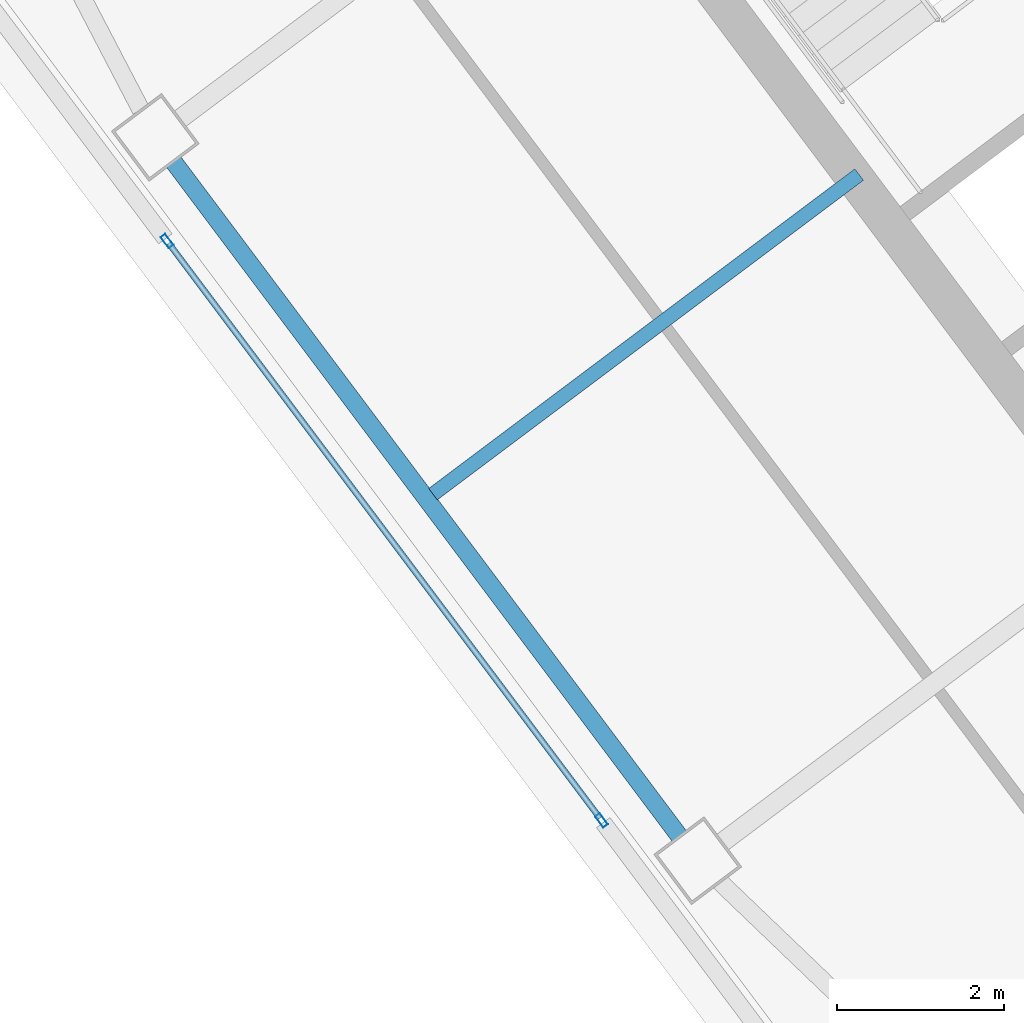
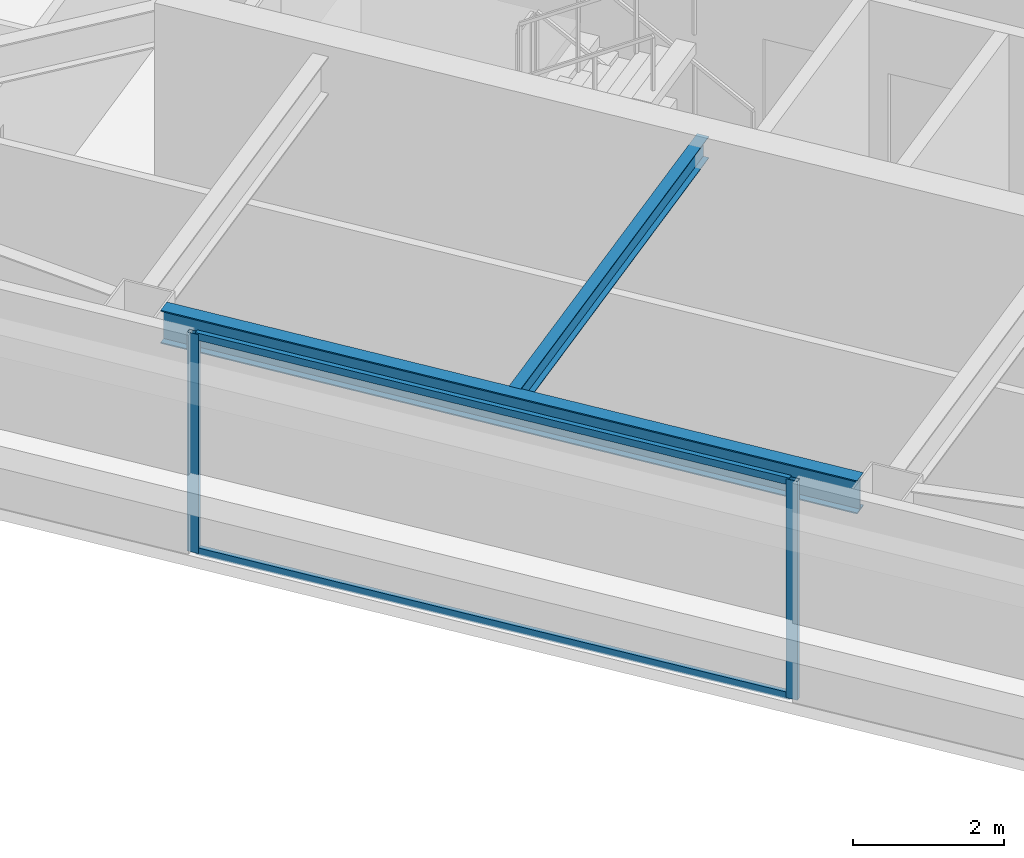
# One storey, part 15 of 36: 4 members, 2 beams, 1 element without a shape of its own.
"""IFC4 building model written with IfcOpenShell, lengths in metres."""

from ifc_helpers import new_model, si_unit, direction, frame, origin, origin_2d, place, context, subcontext, project, spatial, hollow_rectangle, i_section, extrude, material, material_profile, profile_set, type_object, element, aggregate, save


model = new_model("IFC4")

# Units and contexts
model_context = context("Model", 3, precision=1e-05, world=origin(), true_north=direction((0.0, 1.0)))
body_context = subcontext(model_context, "Body", "Model", "MODEL_VIEW")
ifc_project = project(units=[si_unit("LENGTHUNIT", "METRE"), si_unit("AREAUNIT", "SQUARE_METRE"), si_unit("VOLUMEUNIT", "CUBIC_METRE"), si_unit("PLANEANGLEUNIT", "RADIAN"), si_unit("MASSUNIT", "GRAM", prefix="KILO")], contexts=[model_context])

# Site, building, storey
site_placement = place(None, origin())
site = spatial("IfcSite", under=ifc_project, at=site_placement, CompositionType="ELEMENT")
building_placement = place(site_placement, origin())
building = spatial("IfcBuilding", under=site, at=building_placement, Name="Tashvorn Skyway Center", CompositionType="ELEMENT")
storey_placement = place(building_placement, frame((0.0, 0.0, 236.14990234375)))
storey = spatial("IfcBuildingStorey", under=building, at=storey_placement, Name="L64", CompositionType="ELEMENT", Elevation=236.14990234375)

# Beams
ifc_material_1 = material(Name="Steel ASTM A992 Grade 50", Category="steel")
ifc_material_profile_1 = material_profile(ifc_material_1, i_section(OverallWidth=0.1708984375, OverallDepth=0.35498046875, WebThickness=0.007080078125, FlangeThickness=0.01171875, at=origin_2d()), Name="W14X34")
ifc_profile_set_1 = profile_set([ifc_material_profile_1], Name="Steel ASTM A992 Grade 50")
beam_type_1 = type_object("IfcBeamType", Name="BM-JOIST-W14X34", PredefinedType="JOIST", material=ifc_profile_set_1)
beam_1_placement = place(storey_placement, frame((107.76806640625, 27.325927734375, 3.192626953125), z_axis=(-0.800013813639, -0.599981581373, 0.0), x_axis=(0.599981581373, -0.800013813639, 0.0)))
element("IfcBeam", 1, at=beam_1_placement, inside=storey, type_object=beam_type_1, Name="Tower 2 L64 Secondary Composite Joist JW", PredefinedType="JOIST", context=body_context, shape_type="SweptSolid", body=[
    extrude(i_section(OverallWidth=0.1708984375, OverallDepth=0.35498046875, WebThickness=0.007080078125, FlangeThickness=0.01171875, at=origin_2d()), origin(), (0.0, 0.0, 1.0), 6.362548828125),
])
ifc_material_profile_2 = material_profile(ifc_material_1, i_section(OverallWidth=0.2109375, OverallDepth=0.5390625, WebThickness=0.01171875, FlangeThickness=0.018798828125, at=origin_2d()), Name="W21X73")
ifc_profile_set_2 = profile_set([ifc_material_profile_2], Name="Steel ASTM A992 Grade 50")
beam_type_2 = type_object("IfcBeamType", Name="BM-SPANDREL-W21X73", PredefinedType="SPANDREL", material=ifc_profile_set_2)
beam_2_placement = place(storey_placement, frame((99.58203125, 27.47412109375, 3.1005859375), z_axis=(0.599988351091, -0.800008736549, 0.0), x_axis=(0.800008736549, 0.599988351091, 0.0)))
element("IfcBeam", 2, at=beam_2_placement, inside=storey, type_object=beam_type_2, Name="Tower 2 L64 Spandrel Beam 11", PredefinedType="SPANDREL", context=body_context, shape_type="SweptSolid", body=[
    extrude(i_section(OverallWidth=0.2109375, OverallDepth=0.5390625, WebThickness=0.01171875, FlangeThickness=0.018798828125, at=origin_2d()), origin(), (0.0, 0.0, 1.0), 10.06005859375),
])

# Curtain wall, members
ifc_material_2 = material(Name="Thermally broken bronze-anodized aluminium 6063-T6", Category="aluminium")
curtain_wall_type = type_object("IfcCurtainWallType", Name="CW-CW-Z5", PredefinedType="NOTDEFINED", material=ifc_material_2)
curtain_wall_placement = place(storey_placement, origin())
curtain_wall = element("IfcCurtainWall", 3, at=curtain_wall_placement, inside=storey, type_object=curtain_wall_type, Name="Tower 2 L64 West Unitised Curtain Wall Glazing Group 2", PredefinedType="NOTDEFINED")
ifc_material_profile_3 = material_profile(ifc_material_2, hollow_rectangle(XDim=0.070068359375, YDim=0.1650390625, WallThickness=0.00390625, at=origin_2d()), Name="ALU-MULL-70x165")
ifc_profile_set_3 = profile_set([ifc_material_profile_3], Name="Thermally broken bronze-anodized aluminium 6063-T6")
member_type_1 = type_object("IfcMemberType", Name="CWM-CW-Z5", PredefinedType="MULLION", material=ifc_profile_set_3)
member_1_placement = place(storey_placement, frame((104.69091796875, 19.612060546875, 0.0), z_axis=(0.0, 0.0, 1.0), x_axis=(-0.799999999998, -0.600000000002, 0.0)))
member_1 = element("IfcMember", 4, at=member_1_placement, type_object=member_type_1, Name="CW-Z5 mullion 1", PredefinedType="MULLION", context=body_context, shape_type="SweptSolid", body=[
    extrude(hollow_rectangle(XDim=0.070068359375, YDim=0.1650390625, WallThickness=0.00390625, at=origin_2d()), origin(), (0.0, 0.0, 1.0), 3.550048828125),
])
member_2_placement = place(storey_placement, frame((99.5009765625, 26.531982421875, 0.0), z_axis=(0.0, 0.0, 1.0), x_axis=(-0.799999999998, -0.600000000002, 0.0)))
member_2 = element("IfcMember", 5, at=member_2_placement, type_object=member_type_1, Name="CW-Z5 mullion 2", PredefinedType="MULLION", context=body_context, shape_type="SweptSolid", body=[
    extrude(hollow_rectangle(XDim=0.070068359375, YDim=0.1650390625, WallThickness=0.00390625, at=origin_2d()), origin(), (0.0, 0.0, 1.0), 3.550048828125),
])
ifc_material_profile_4 = material_profile(ifc_material_2, hollow_rectangle(XDim=0.070068359375, YDim=0.114990234375, WallThickness=0.00390625, at=origin_2d()), Name="ALU-TRAN-70x115")
ifc_profile_set_4 = profile_set([ifc_material_profile_4], Name="Thermally broken bronze-anodized aluminium 6063-T6")
member_type_2 = type_object("IfcMemberType", Name="CWT-CW-Z5", PredefinedType="USERDEFINED", material=ifc_profile_set_4)
member_3_placement = place(storey_placement, frame((104.669921875, 19.639892578125, 0.03515625), z_axis=(-0.599995447241, 0.800003414549, 0.0), x_axis=(-0.800003414549, -0.599995447241, 0.0)))
member_3 = element("IfcMember", 6, at=member_3_placement, type_object=member_type_2, Name="CW-Z5 transom 1.1", ObjectType="TRANSOM", PredefinedType="USERDEFINED", context=body_context, shape_type="SweptSolid", body=[
    extrude(hollow_rectangle(XDim=0.070068359375, YDim=0.114990234375, WallThickness=0.00390625, at=origin_2d()), origin(), (0.0, 0.0, 1.0), 8.580078125),
])
member_4_placement = place(storey_placement, frame((104.669921875, 19.639892578125, 3.51513671875), z_axis=(-0.599995447241, 0.800003414549, 0.0), x_axis=(-0.800003414549, -0.599995447241, 0.0)))
member_4 = element("IfcMember", 7, at=member_4_placement, type_object=member_type_2, Name="CW-Z5 transom 1.2", ObjectType="TRANSOM", PredefinedType="USERDEFINED", context=body_context, shape_type="SweptSolid", body=[
    extrude(hollow_rectangle(XDim=0.070068359375, YDim=0.114990234375, WallThickness=0.00390625, at=origin_2d()), origin(), (0.0, 0.0, 1.0), 8.580078125),
])
aggregate(curtain_wall, [member_1, member_2, member_3, member_4])

save(model, "model.ifc")
